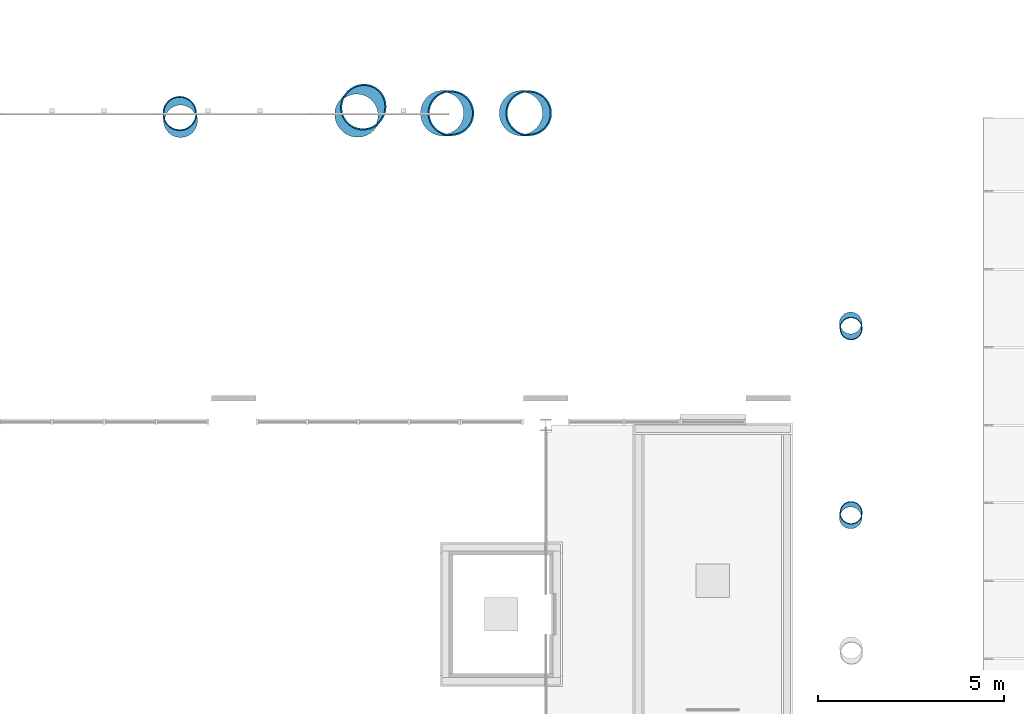
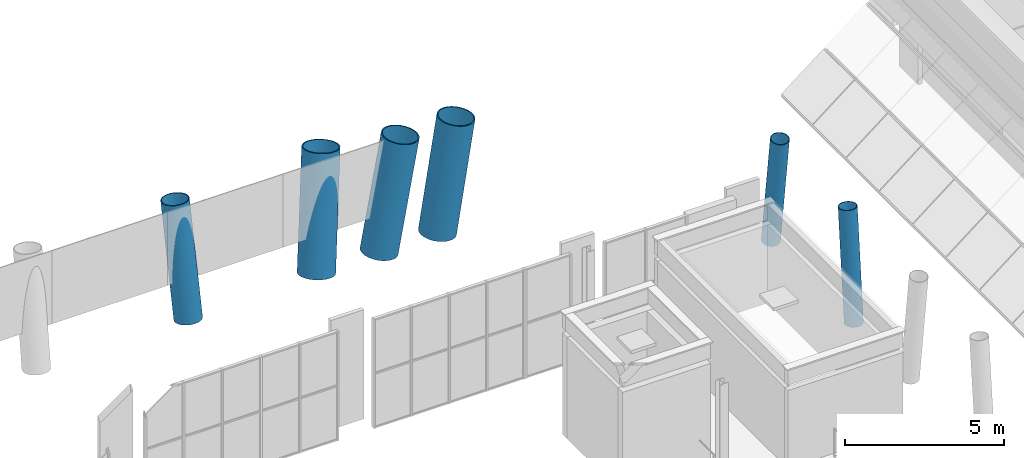
# One storey, part 11 of 76: 6 columns.
"""IFC4 building model written with IfcOpenShell, lengths in metres."""

from ifc_helpers import new_model, si_unit, direction, frame, origin, origin_2d, place, context, subcontext, project, spatial, hollow_circle, extrude, material, material_profile, profile_set, type_object, element, save


model = new_model("IFC4")

# Units and contexts
model_context = context("Model", 3, precision=1e-05, world=origin(), true_north=direction((0.0, 1.0)))
body_context = subcontext(model_context, "Body", "Model", "MODEL_VIEW")
ifc_project = project(units=[si_unit("LENGTHUNIT", "METRE"), si_unit("AREAUNIT", "SQUARE_METRE"), si_unit("VOLUMEUNIT", "CUBIC_METRE"), si_unit("PLANEANGLEUNIT", "RADIAN"), si_unit("MASSUNIT", "GRAM", prefix="KILO")], contexts=[model_context])

# Site, building, storey
site_placement = place(None, origin())
site = spatial("IfcSite", under=ifc_project, at=site_placement, CompositionType="ELEMENT")
building_placement = place(site_placement, origin())
building = spatial("IfcBuilding", under=site, at=building_placement, Name="Sava Quay Ferry Terminal", CompositionType="ELEMENT")
storey_placement = place(building_placement, frame((0.0, 0.0, 10.800048828125)))
storey = spatial("IfcBuildingStorey", under=building, at=storey_placement, Name="L02", CompositionType="ELEMENT", Elevation=10.800048828125)

# Columns
ifc_material_1 = material(Name="Steel S355", Category="steel")
ifc_material_profile_1 = material_profile(ifc_material_1, hollow_circle(Radius=0.609619140625, WallThickness=0.0400390625, at=origin_2d()), Name="CHS 1219 x 40.0")
ifc_profile_set_1 = profile_set([ifc_material_profile_1], Name="Steel S355")
column_type_1 = type_object("IfcColumnType", Name="V column CHS 1219x40", PredefinedType="COLUMN", material=ifc_profile_set_1)
column_1_placement = place(storey_placement, frame((72.82861328125, 109.199951171875, 0.0), z_axis=(0.180444953056, 0.0, 0.983585084737), x_axis=(0.0, 1.0, 0.0)))
element("IfcColumn", 1, at=column_1_placement, inside=storey, type_object=column_type_1, Name="Departure hall prow V column D-PV7H1a part 3", PredefinedType="COLUMN", context=body_context, shape_type="SweptSolid", body=[
    extrude(hollow_circle(Radius=0.609619140625, WallThickness=0.0400390625, at=origin_2d()), origin(), (0.0, 0.0, 1.0), 4.27001953125),
])
column_2_placement = place(storey_placement, frame((74.951416015625, 109.199951171875, 0.0), z_axis=(0.158579185212, 0.0, 0.987346262472), x_axis=(0.0, 1.0, 0.0)))
element("IfcColumn", 2, at=column_2_placement, inside=storey, type_object=column_type_1, Name="Departure hall prow V column D-PV7H1b part 3", PredefinedType="COLUMN", context=body_context, shape_type="SweptSolid", body=[
    extrude(hollow_circle(Radius=0.609619140625, WallThickness=0.0400390625, at=origin_2d()), origin(), (0.0, 0.0, 1.0), 4.253662109375),
])
column_3_placement = place(storey_placement, frame((70.519775390625, 109.1533203125, 0.0), z_axis=(0.138038718435, 0.172846017457, 0.975227956153), x_axis=(-0.781393592312, 0.624038503535, 0.0)))
element("IfcColumn", 3, at=column_3_placement, inside=storey, type_object=column_type_1, Name="Departure hall prow V column D-PVTb part 3", PredefinedType="COLUMN", context=body_context, shape_type="SweptSolid", body=[
    extrude(hollow_circle(Radius=0.609619140625, WallThickness=0.0400390625, at=origin_2d()), origin(), (0.0, 0.0, 1.0), 4.306640625),
])
ifc_material_2 = material(Name="Steel S355", Category="steel")
ifc_material_profile_2 = material_profile(ifc_material_2, hollow_circle(Radius=0.304931640625, WallThickness=0.02001953125, at=origin_2d()), Name="CHS 610 x 20.0")
ifc_profile_set_2 = profile_set([ifc_material_profile_2], Name="Steel S355")
column_type_2 = type_object("IfcColumnType", Name="V column CHS 610x20", PredefinedType="COLUMN", material=ifc_profile_set_2)
column_4_placement = place(storey_placement, frame((83.81396484375, 98.30908203125, 0.0), z_axis=(0.009362393613, 0.10708960102, 0.99420529215), x_axis=(-0.996200133827, 0.087093589682, 0.0)))
element("IfcColumn", 4, at=column_4_placement, inside=storey, type_object=column_type_2, Name="Departure hall V column D-VR6a part 3", PredefinedType="COLUMN", context=body_context, shape_type="SweptSolid", body=[
    extrude(hollow_circle(Radius=0.304931640625, WallThickness=0.02001953125, at=origin_2d()), origin(), (0.0, 0.0, 1.0), 4.224365234375),
])
column_5_placement = place(storey_placement, frame((83.81396484375, 103.5390625, 0.0), z_axis=(0.009349176349, -0.119403986825, 0.992801732891), x_axis=(0.996948680046, 0.078059780651, 0.0)))
element("IfcColumn", 5, at=column_5_placement, inside=storey, type_object=column_type_2, Name="Departure hall V column D-VR6b part 3", PredefinedType="COLUMN", context=body_context, shape_type="SweptSolid", body=[
    extrude(hollow_circle(Radius=0.304931640625, WallThickness=0.02001953125, at=origin_2d()), origin(), (0.0, 0.0, 1.0), 4.23046875),
])
ifc_material_3 = material(Name="Steel S355", Category="steel")
ifc_material_profile_3 = material_profile(ifc_material_3, hollow_circle(Radius=0.45703125, WallThickness=0.030029296875, at=origin_2d()), Name="CHS 914 x 30.0")
ifc_profile_set_3 = profile_set([ifc_material_profile_3], Name="Steel S355")
column_type_3 = type_object("IfcColumnType", Name="V column CHS 914x30", PredefinedType="COLUMN", material=ifc_profile_set_3)
column_6_placement = place(storey_placement, frame((65.763671875, 108.99658203125, 0.0), z_axis=(-0.019212071156, 0.16212694077, 0.986582865956), x_axis=(-0.993051943982, -0.117676830999, 0.0)))
element("IfcColumn", 6, at=column_6_placement, inside=storey, type_object=column_type_3, Name="Departure hall prow V column D-PVMb2.1 part 3", PredefinedType="COLUMN", context=body_context, shape_type="SweptSolid", body=[
    extrude(hollow_circle(Radius=0.45703125, WallThickness=0.030029296875, at=origin_2d()), origin(), (0.0, 0.0, 1.0), 4.257080078125),
])

save(model, "model.ifc")
